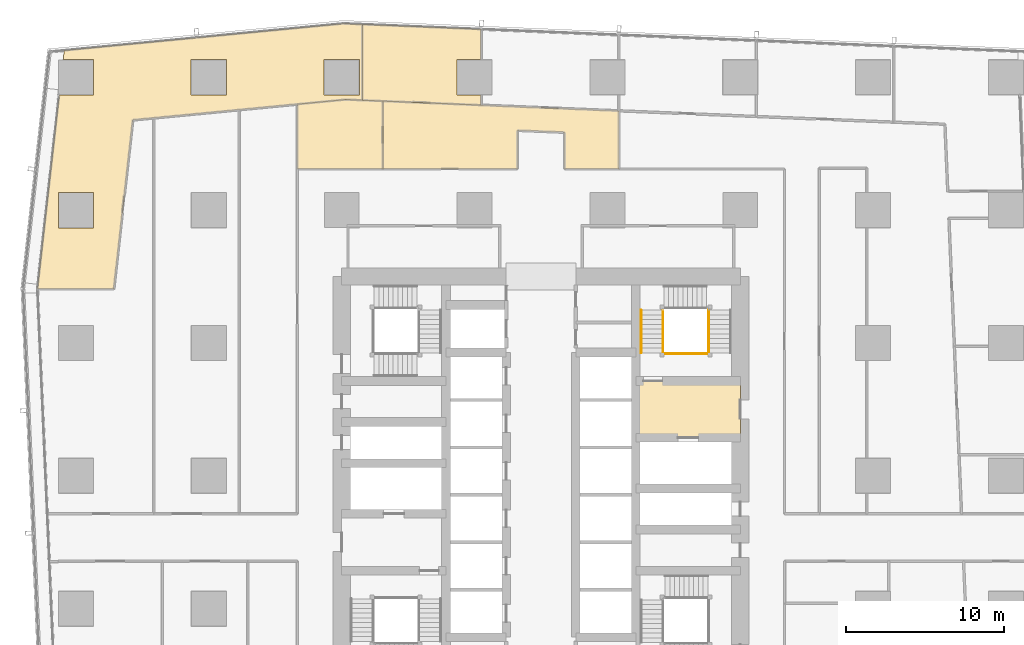
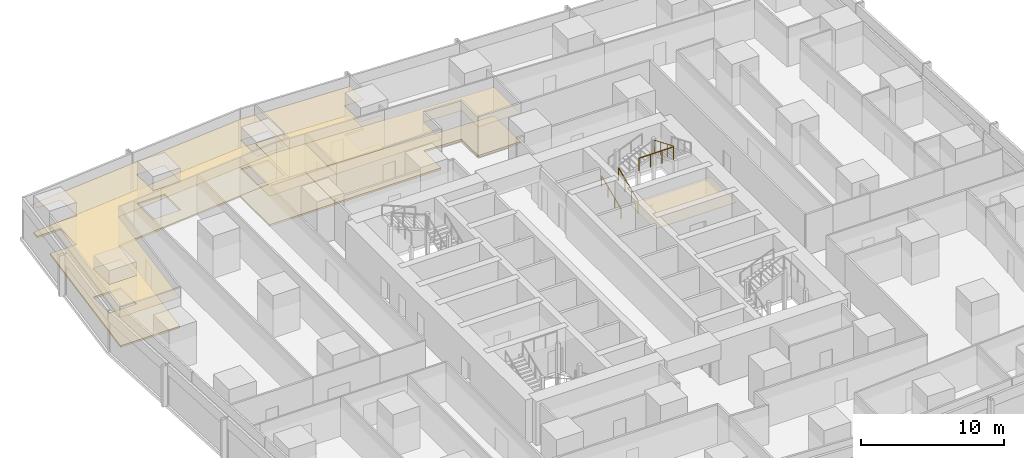
# One storey, part 42 of 44: 9 coverings, 4 railings.
"""IFC4 building model written with IfcOpenShell, lengths in metres."""

from ifc_helpers import new_model, si_unit, direction, frame, origin, origin_2d, place, context, subcontext, project, spatial, polyline, circle, outline, extrude, material, layer, layer_set, type_object, element, save


model = new_model("IFC4")

# Units and contexts
model_context = context("Model", 3, precision=1e-05, world=origin(), true_north=direction((0.0, 1.0)))
body_context = subcontext(model_context, "Body", "Model", "MODEL_VIEW")
ifc_project = project(units=[si_unit("LENGTHUNIT", "METRE"), si_unit("AREAUNIT", "SQUARE_METRE"), si_unit("VOLUMEUNIT", "CUBIC_METRE"), si_unit("PLANEANGLEUNIT", "RADIAN"), si_unit("MASSUNIT", "GRAM", prefix="KILO")], contexts=[model_context])

# Site, building, storey
site_placement = place(None, origin())
site = spatial("IfcSite", under=ifc_project, at=site_placement, CompositionType="ELEMENT")
building_placement = place(site_placement, origin())
building = spatial("IfcBuilding", under=site, at=building_placement, Name="Rekha Terrace Tower", CompositionType="ELEMENT")
storey_placement = place(building_placement, frame((0.0, 0.0, 47.89990234375)))
storey = spatial("IfcBuildingStorey", under=building, at=storey_placement, Name="L11", CompositionType="ELEMENT", Elevation=47.89990234375)

# Coverings
ifc_material_1 = material(Name="Mineral fibre tile in exposed grid", Category="finish")
ifc_layer_1 = layer(ifc_material_1, 0.02001953125)
ifc_layer_set_1 = layer_set([ifc_layer_1], Name="Mineral fibre tile in exposed grid")
covering_type_1 = type_object("IfcCoveringType", Name="CL1 600x1200 office grid ceiling", PredefinedType="CEILING", material=ifc_layer_set_1)
covering_1_placement = place(storey_placement, frame((0.0, 0.0, 2.580078125)))
element("IfcCovering", 1, at=covering_1_placement, inside=storey, type_object=covering_type_1, Name="Ceiling L11-14", PredefinedType="CEILING", context=body_context, shape_type="SweptSolid", body=[
    extrude(outline(polyline([(34.02099609375, 59.9150390625), (34.02099609375, 61.842041015625), (26.510009765625, 62.15087890625), (26.510009765625, 57.346923828125), (34.02099609375, 57.037109375), (34.02099609375, 57.68505859375), (32.485107421875, 57.68505859375), (32.485107421875, 59.9150390625), (34.02099609375, 59.9150390625)])), origin(), (0.0, 0.0, 1.0), 0.02001953125),
])
covering_2_placement = place(storey_placement, frame((0.0, 0.0, 2.580078125)))
element("IfcCovering", 2, at=covering_2_placement, inside=storey, type_object=covering_type_1, Name="Ceiling L11-16", PredefinedType="CEILING", context=body_context, shape_type="SweptSolid", body=[
    extrude(outline(polyline([(25.325927734375, 62.199951171875), (15.572021484375, 61.261962890625), (7.655029296875, 60.5009765625), (7.589111328125, 59.9150390625), (9.514892578125, 59.9150390625), (9.514892578125, 57.68505859375), (7.337890625, 57.68505859375), (5.958984375, 45.412109375), (10.7900390625, 45.412109375), (11.989990234375, 56.095947265625), (15.572998046875, 56.43994140625), (25.45703125, 57.39111328125), (26.509033203125, 57.346923828125), (26.509033203125, 62.15087890625), (25.325927734375, 62.199951171875)]), holes=[polyline([(26.31494140625, 57.68505859375), (24.0849609375, 57.68505859375), (24.0849609375, 59.9150390625), (26.31494140625, 59.9150390625), (26.31494140625, 57.68505859375)]), polyline([(17.9150390625, 57.68505859375), (15.68505859375, 57.68505859375), (15.68505859375, 59.9150390625), (17.9150390625, 59.9150390625), (17.9150390625, 57.68505859375)]), polyline([(9.514892578125, 51.514892578125), (9.514892578125, 49.284912109375), (7.284912109375, 49.284912109375), (7.284912109375, 51.514892578125), (9.514892578125, 51.514892578125)])]), origin(), (0.0, 0.0, 1.0), 0.02001953125),
])
covering_3_placement = place(storey_placement, frame((0.0, 0.0, 2.580078125)))
element("IfcCovering", 3, at=covering_3_placement, inside=storey, type_object=covering_type_1, Name="Ceiling L11-19", PredefinedType="CEILING", context=body_context, shape_type="SweptSolid", body=[
    extrude(outline(polyline([(22.39990234375, 53.0), (27.800048828125, 53.0), (27.800048828125, 57.2939453125), (26.240966796875, 57.35791015625), (25.45703125, 57.39111328125), (22.39990234375, 57.096923828125), (22.39990234375, 53.0)])), origin(), (0.0, 0.0, 1.0), 0.02001953125),
])
covering_4_placement = place(storey_placement, frame((0.0, 0.0, 2.580078125)))
element("IfcCovering", 4, at=covering_4_placement, inside=storey, type_object=covering_type_1, Name="Ceiling L11-O4", PredefinedType="CEILING", context=body_context, shape_type="SweptSolid", body=[
    extrude(outline(polyline([(42.718017578125, 56.678955078125), (34.02099609375, 57.037109375), (27.800048828125, 57.2939453125), (27.800048828125, 53.0), (36.300048828125, 53.0), (36.300048828125, 55.44189453125), (39.300048828125, 55.319091796875), (39.300048828125, 53.0), (42.718017578125, 53.0), (42.718017578125, 56.678955078125)])), origin(), (0.0, 0.0, 1.0), 0.02001953125),
])
ifc_material_2 = material(Name="Powder-coated aluminium pan", Category="aluminium")
ifc_layer_2 = layer(ifc_material_2, 0.030029296875)
ifc_layer_set_2 = layer_set([ifc_layer_2], Name="Powder-coated aluminium pan")
covering_type_2 = type_object("IfcCoveringType", Name="CL3 300x1200 metal pan ceiling", PredefinedType="CEILING", material=ifc_layer_set_2)
covering_5_placement = place(storey_placement, frame((0.0, 0.0, 2.570068359375)))
element("IfcCovering", 5, at=covering_5_placement, inside=storey, type_object=covering_type_2, Name="Ceiling L11-FLB2", PredefinedType="CEILING", context=body_context, shape_type="SweptSolid", body=[
    extrude(outline(polyline([(50.39990234375, 39.60009765625), (43.800048828125, 39.60009765625), (43.800048828125, 36.0), (50.39990234375, 36.0), (50.39990234375, 39.60009765625)])), origin(), (0.0, 0.0, 1.0), 0.030029296875),
])

# Railings
ifc_material_3 = material(Name="Stainless steel balustrade", Category="steel")
railing_type_1 = type_object("IfcRailingType", Name="GR1 1100 stair guard", PredefinedType="GUARDRAIL", material=ifc_material_3)
railing_1_placement = place(storey_placement, frame((45.514892578125, 41.375, 0.125)))
element("IfcRailing", 6, at=railing_1_placement, inside=storey, type_object=railing_type_1, Name="Guard ST2 L11 flight 1", PredefinedType="GUARDRAIL", context=body_context, shape_type="SweptSolid", body=[
    extrude(circle(Radius=0.02392578125, at=origin_2d()), frame((0.0, 0.0, 1.076171875), z_axis=(0.0, 0.923074453586, 0.384621311341), x_axis=(-1.0, 0.0, 0.0)), (0.0, 0.0, 1.0), 2.925048828125),
    extrude(circle(Radius=0.02099609375, at=origin_2d()), origin(), (0.0, 0.0, 1.0), 1.052001953125),
    extrude(circle(Radius=0.02099609375, at=origin_2d()), frame((0.0, 0.89990234375, 0.375)), (0.0, 0.0, 1.0), 1.052001953125),
    extrude(circle(Radius=0.02099609375, at=origin_2d()), frame((0.0, 1.800048828125, 0.75)), (0.0, 0.0, 1.0), 1.052001953125),
    extrude(circle(Radius=0.02099609375, at=origin_2d()), frame((0.0, 2.699951171875, 1.125)), (0.0, 0.0, 1.0), 1.052001953125),
])
railing_2_placement = place(storey_placement, frame((48.409912109375, 44.074951171875, 2.625)))
element("IfcRailing", 7, at=railing_2_placement, inside=storey, type_object=railing_type_1, Name="Guard ST2 L11 flight 3", PredefinedType="GUARDRAIL", context=body_context, shape_type="SweptSolid", body=[
    extrude(circle(Radius=0.02392578125, at=origin_2d()), frame((0.0, 0.0, 1.076171875), z_axis=(0.0, -0.923074453586, 0.384621311341), x_axis=(1.0, 0.0, 0.0)), (0.0, 0.0, 1.0), 2.925048828125),
    extrude(circle(Radius=0.02099609375, at=origin_2d()), origin(), (0.0, 0.0, 1.0), 1.052001953125),
    extrude(circle(Radius=0.02099609375, at=origin_2d()), frame((0.0, -0.89990234375, 0.375)), (0.0, 0.0, 1.0), 1.052001953125),
    extrude(circle(Radius=0.02099609375, at=origin_2d()), frame((0.0, -1.800048828125, 0.75)), (0.0, 0.0, 1.0), 1.052001953125),
    extrude(circle(Radius=0.02099609375, at=origin_2d()), frame((0.0, -2.699951171875, 1.125)), (0.0, 0.0, 1.0), 1.052001953125),
])
railing_3_placement = place(storey_placement, frame((45.574951171875, 41.31494140625, 3.75)))
element("IfcRailing", 8, at=railing_3_placement, inside=storey, type_object=railing_type_1, Name="Guard ST2 L11 landing 4", PredefinedType="GUARDRAIL", context=body_context, shape_type="SweptSolid", body=[
    extrude(circle(Radius=0.02392578125, at=origin_2d()), frame((0.0, 0.0, 1.076171875), z_axis=(1.0, 0.0, 0.0), x_axis=(0.0, 1.0, 0.0)), (0.0, 0.0, 1.0), 2.775146484375),
    extrude(circle(Radius=0.02099609375, at=origin_2d()), origin(), (0.0, 0.0, 1.0), 1.052001953125),
    extrude(circle(Radius=0.02099609375, at=origin_2d()), frame((0.925048828125, 0.0, 0.0)), (0.0, 0.0, 1.0), 1.052001953125),
    extrude(circle(Radius=0.02099609375, at=origin_2d()), frame((1.85009765625, 0.0, 0.0)), (0.0, 0.0, 1.0), 1.052001953125),
    extrude(circle(Radius=0.02099609375, at=origin_2d()), frame((2.775146484375, 0.0, 0.0)), (0.0, 0.0, 1.0), 1.052001953125),
])
ifc_material_4 = material(Name="Stainless steel tube", Category="steel")
railing_type_2 = type_object("IfcRailingType", Name="HR1 900 stair handrail", PredefinedType="HANDRAIL", material=ifc_material_4)
railing_4_placement = place(storey_placement, frame((44.135009765625, 41.375, 0.125)))
element("IfcRailing", 9, at=railing_4_placement, inside=storey, type_object=railing_type_2, Name="Handrail ST2 L11 flight 1", PredefinedType="HANDRAIL", context=body_context, shape_type="SweptSolid", body=[
    extrude(circle(Radius=0.02392578125, at=origin_2d()), frame((0.0, 0.0, 0.8759765625), z_axis=(0.0, 0.923074453586, 0.384621311341), x_axis=(-1.0, 0.0, 0.0)), (0.0, 0.0, 1.0), 2.925048828125),
    extrude(circle(Radius=0.02099609375, at=origin_2d()), origin(), (0.0, 0.0, 1.0), 0.851806640625),
    extrude(circle(Radius=0.02099609375, at=origin_2d()), frame((0.0, 0.89990234375, 0.375)), (0.0, 0.0, 1.0), 0.851806640625),
    extrude(circle(Radius=0.02099609375, at=origin_2d()), frame((0.0, 1.800048828125, 0.75)), (0.0, 0.0, 1.0), 0.851806640625),
    extrude(circle(Radius=0.02099609375, at=origin_2d()), frame((0.0, 2.699951171875, 1.125)), (0.0, 0.0, 1.0), 0.851806640625),
])

# Coverings
ifc_material_5 = material(Name="Calcium sulphate panels on steel pedestals", Category="steel")
ifc_layer_3 = layer(ifc_material_5, 0.14990234375)
ifc_layer_set_3 = layer_set([ifc_layer_3], Name="Calcium sulphate panels on steel pedestals")
covering_type_3 = type_object("IfcCoveringType", Name="RF1 150 raised access floor", PredefinedType="FLOORING", material=ifc_layer_set_3)
covering_6_placement = place(storey_placement, origin())
element("IfcCovering", 10, at=covering_6_placement, inside=storey, type_object=covering_type_3, Name="Raised floor L11-14", PredefinedType="FLOORING", context=body_context, shape_type="SweptSolid", body=[
    extrude(outline(polyline([(34.02099609375, 59.9150390625), (34.02099609375, 61.842041015625), (26.510009765625, 62.15087890625), (26.510009765625, 57.346923828125), (34.02099609375, 57.037109375), (34.02099609375, 57.68505859375), (32.485107421875, 57.68505859375), (32.485107421875, 59.9150390625), (34.02099609375, 59.9150390625)])), origin(), (0.0, 0.0, 1.0), 0.150146484375),
])
covering_7_placement = place(storey_placement, origin())
element("IfcCovering", 11, at=covering_7_placement, inside=storey, type_object=covering_type_3, Name="Raised floor L11-16", PredefinedType="FLOORING", context=body_context, shape_type="SweptSolid", body=[
    extrude(outline(polyline([(25.325927734375, 62.199951171875), (15.572021484375, 61.261962890625), (7.655029296875, 60.5009765625), (7.589111328125, 59.9150390625), (9.514892578125, 59.9150390625), (9.514892578125, 57.68505859375), (7.337890625, 57.68505859375), (5.958984375, 45.412109375), (10.7900390625, 45.412109375), (11.989990234375, 56.095947265625), (15.572998046875, 56.43994140625), (25.45703125, 57.39111328125), (26.509033203125, 57.346923828125), (26.509033203125, 62.15087890625), (25.325927734375, 62.199951171875)]), holes=[polyline([(26.31494140625, 57.68505859375), (24.0849609375, 57.68505859375), (24.0849609375, 59.9150390625), (26.31494140625, 59.9150390625), (26.31494140625, 57.68505859375)]), polyline([(17.9150390625, 57.68505859375), (15.68505859375, 57.68505859375), (15.68505859375, 59.9150390625), (17.9150390625, 59.9150390625), (17.9150390625, 57.68505859375)]), polyline([(9.514892578125, 51.514892578125), (9.514892578125, 49.284912109375), (7.284912109375, 49.284912109375), (7.284912109375, 51.514892578125), (9.514892578125, 51.514892578125)])]), origin(), (0.0, 0.0, 1.0), 0.150146484375),
])
covering_8_placement = place(storey_placement, origin())
element("IfcCovering", 12, at=covering_8_placement, inside=storey, type_object=covering_type_3, Name="Raised floor L11-19", PredefinedType="FLOORING", context=body_context, shape_type="SweptSolid", body=[
    extrude(outline(polyline([(22.39990234375, 53.0), (27.800048828125, 53.0), (27.800048828125, 57.2939453125), (26.240966796875, 57.35791015625), (25.45703125, 57.39111328125), (22.39990234375, 57.096923828125), (22.39990234375, 53.0)])), origin(), (0.0, 0.0, 1.0), 0.150146484375),
])
covering_9_placement = place(storey_placement, origin())
element("IfcCovering", 13, at=covering_9_placement, inside=storey, type_object=covering_type_3, Name="Raised floor L11-O4", PredefinedType="FLOORING", context=body_context, shape_type="SweptSolid", body=[
    extrude(outline(polyline([(42.718017578125, 56.678955078125), (34.02099609375, 57.037109375), (27.800048828125, 57.2939453125), (27.800048828125, 53.0), (36.300048828125, 53.0), (36.300048828125, 55.44189453125), (39.300048828125, 55.319091796875), (39.300048828125, 53.0), (42.718017578125, 53.0), (42.718017578125, 56.678955078125)])), origin(), (0.0, 0.0, 1.0), 0.150146484375),
])

save(model, "model.ifc")
